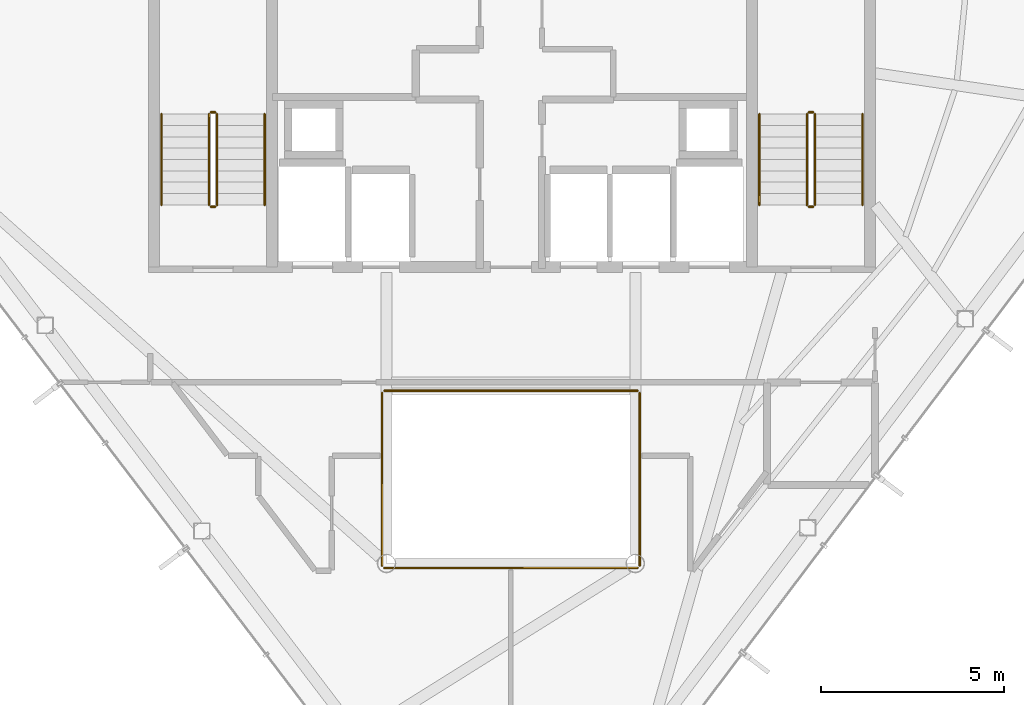
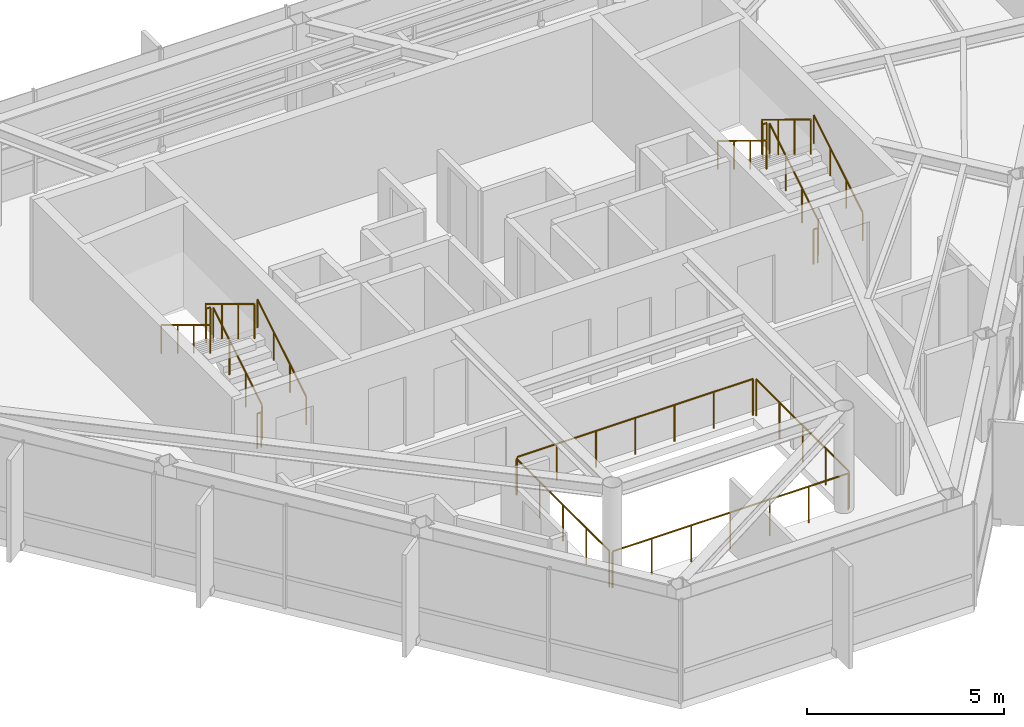
# One storey, part 23 of 23: 16 railings.
"""IFC4 building model written with IfcOpenShell, lengths in metres."""

from ifc_helpers import new_model, si_unit, direction, frame, origin, origin_2d, place, context, subcontext, project, spatial, circle, extrude, material, type_object, element, save


model = new_model("IFC4")

# Units and contexts
model_context = context("Model", 3, precision=1e-05, world=origin(), true_north=direction((0.0, 1.0)))
body_context = subcontext(model_context, "Body", "Model", "MODEL_VIEW")
ifc_project = project(units=[si_unit("LENGTHUNIT", "METRE"), si_unit("AREAUNIT", "SQUARE_METRE"), si_unit("VOLUMEUNIT", "CUBIC_METRE"), si_unit("PLANEANGLEUNIT", "RADIAN"), si_unit("MASSUNIT", "GRAM", prefix="KILO")], contexts=[model_context])

# Site, building, storey
site_placement = place(None, origin())
site = spatial("IfcSite", under=ifc_project, at=site_placement, CompositionType="ELEMENT")
building_placement = place(site_placement, origin())
building = spatial("IfcBuilding", under=site, at=building_placement, Name="Zarrinselat Tower", CompositionType="ELEMENT")
storey_placement = place(building_placement, frame((0.0, 0.0, 278.800048828125)))
storey = spatial("IfcBuildingStorey", under=building, at=storey_placement, Name="L71", CompositionType="ELEMENT", Elevation=278.800048828125)

# Railings
ifc_material_1 = material(Name="Double Low-E Laminated Solar Glass", Category="glass")
railing_type_1 = type_object("IfcRailingType", Name="RLG-ATRIUM-BAL", PredefinedType="BALUSTRADE", material=ifc_material_1)
railing_1_placement = place(storey_placement, frame((34.93994140625, 25.080078125, 0.0)))
element("IfcRailing", 1, at=railing_1_placement, inside=storey, type_object=railing_type_1, Name="L71 Atrium Void Glass Balustrade S", PredefinedType="BALUSTRADE", context=body_context, shape_type="SweptSolid", body=[
    extrude(circle(Radius=0.02392578125, at=origin_2d()), frame((0.0, 0.0, 1.1259765625), z_axis=(1.0, 0.0, 0.0), x_axis=(0.0, 1.0, 0.0)), (0.0, 0.0, 1.0), 6.920166015625),
    extrude(circle(Radius=0.02099609375, at=origin_2d()), origin(), (0.0, 0.0, 1.0), 1.099853515625),
    extrude(circle(Radius=0.02099609375, at=origin_2d()), frame((1.1533203125, 0.0, 0.0)), (0.0, 0.0, 1.0), 1.099853515625),
    extrude(circle(Radius=0.02099609375, at=origin_2d()), frame((2.306640625, 0.0, 0.0)), (0.0, 0.0, 1.0), 1.099853515625),
    extrude(circle(Radius=0.02099609375, at=origin_2d()), frame((3.4599609375, 0.0, 0.0)), (0.0, 0.0, 1.0), 1.099853515625),
    extrude(circle(Radius=0.02099609375, at=origin_2d()), frame((4.613525390625, 0.0, 0.0)), (0.0, 0.0, 1.0), 1.099853515625),
    extrude(circle(Radius=0.02099609375, at=origin_2d()), frame((5.766845703125, 0.0, 0.0)), (0.0, 0.0, 1.0), 1.099853515625),
    extrude(circle(Radius=0.02099609375, at=origin_2d()), frame((6.920166015625, 0.0, 0.0)), (0.0, 0.0, 1.0), 1.099853515625),
])
railing_2_placement = place(storey_placement, frame((41.919921875, 25.139892578125, 0.0)))
element("IfcRailing", 2, at=railing_2_placement, inside=storey, type_object=railing_type_1, Name="L71 Atrium Void Glass Balustrade E", PredefinedType="BALUSTRADE", context=body_context, shape_type="SweptSolid", body=[
    extrude(circle(Radius=0.02392578125, at=origin_2d()), frame((0.0, 0.0, 1.1259765625), z_axis=(0.0, 1.0, 0.0), x_axis=(-1.0, 0.0, 0.0)), (0.0, 0.0, 1.0), 4.72021484375),
    extrude(circle(Radius=0.02099609375, at=origin_2d()), origin(), (0.0, 0.0, 1.0), 1.099853515625),
    extrude(circle(Radius=0.02099609375, at=origin_2d()), frame((0.0, 1.18017578125, 0.0)), (0.0, 0.0, 1.0), 1.099853515625),
    extrude(circle(Radius=0.02099609375, at=origin_2d()), frame((0.0, 2.360107421875, 0.0)), (0.0, 0.0, 1.0), 1.099853515625),
    extrude(circle(Radius=0.02099609375, at=origin_2d()), frame((0.0, 3.5400390625, 0.0)), (0.0, 0.0, 1.0), 1.099853515625),
    extrude(circle(Radius=0.02099609375, at=origin_2d()), frame((0.0, 4.72021484375, 0.0)), (0.0, 0.0, 1.0), 1.099853515625),
])
railing_3_placement = place(storey_placement, frame((41.860107421875, 29.919921875, 0.0)))
element("IfcRailing", 3, at=railing_3_placement, inside=storey, type_object=railing_type_1, Name="L71 Atrium Void Glass Balustrade N", PredefinedType="BALUSTRADE", context=body_context, shape_type="SweptSolid", body=[
    extrude(circle(Radius=0.02392578125, at=origin_2d()), frame((0.0, 0.0, 1.1259765625), z_axis=(-1.0, 0.0, 0.0), x_axis=(0.0, -1.0, 0.0)), (0.0, 0.0, 1.0), 6.920166015625),
    extrude(circle(Radius=0.02099609375, at=origin_2d()), origin(), (0.0, 0.0, 1.0), 1.099853515625),
    extrude(circle(Radius=0.02099609375, at=origin_2d()), frame((-1.1533203125, 0.0, 0.0)), (0.0, 0.0, 1.0), 1.099853515625),
    extrude(circle(Radius=0.02099609375, at=origin_2d()), frame((-2.306640625, 0.0, 0.0)), (0.0, 0.0, 1.0), 1.099853515625),
    extrude(circle(Radius=0.02099609375, at=origin_2d()), frame((-3.4599609375, 0.0, 0.0)), (0.0, 0.0, 1.0), 1.099853515625),
    extrude(circle(Radius=0.02099609375, at=origin_2d()), frame((-4.613525390625, 0.0, 0.0)), (0.0, 0.0, 1.0), 1.099853515625),
    extrude(circle(Radius=0.02099609375, at=origin_2d()), frame((-5.766845703125, 0.0, 0.0)), (0.0, 0.0, 1.0), 1.099853515625),
    extrude(circle(Radius=0.02099609375, at=origin_2d()), frame((-6.920166015625, 0.0, 0.0)), (0.0, 0.0, 1.0), 1.099853515625),
])
railing_4_placement = place(storey_placement, frame((34.8798828125, 29.860107421875, 0.0)))
element("IfcRailing", 4, at=railing_4_placement, inside=storey, type_object=railing_type_1, Name="L71 Atrium Void Glass Balustrade W", PredefinedType="BALUSTRADE", context=body_context, shape_type="SweptSolid", body=[
    extrude(circle(Radius=0.02392578125, at=origin_2d()), frame((0.0, 0.0, 1.1259765625), z_axis=(0.0, -1.0, 0.0), x_axis=(1.0, 0.0, 0.0)), (0.0, 0.0, 1.0), 4.72021484375),
    extrude(circle(Radius=0.02099609375, at=origin_2d()), origin(), (0.0, 0.0, 1.0), 1.099853515625),
    extrude(circle(Radius=0.02099609375, at=origin_2d()), frame((0.0, -1.18017578125, 0.0)), (0.0, 0.0, 1.0), 1.099853515625),
    extrude(circle(Radius=0.02099609375, at=origin_2d()), frame((0.0, -2.360107421875, 0.0)), (0.0, 0.0, 1.0), 1.099853515625),
    extrude(circle(Radius=0.02099609375, at=origin_2d()), frame((0.0, -3.5400390625, 0.0)), (0.0, 0.0, 1.0), 1.099853515625),
    extrude(circle(Radius=0.02099609375, at=origin_2d()), frame((0.0, -4.72021484375, 0.0)), (0.0, 0.0, 1.0), 1.099853515625),
])
ifc_material_2 = material(Name="Steel S355J2", Category="steel")
railing_type_2 = type_object("IfcRailingType", Name="RLG-STAIR-GUARD", PredefinedType="GUARDRAIL", material=ifc_material_2)
railing_5_placement = place(storey_placement, frame((30.3701171875, 35.0, 0.188720703125)))
element("IfcRailing", 5, at=railing_5_placement, inside=storey, type_object=railing_type_2, Name="L71 ST-1 stair guard 1", PredefinedType="GUARDRAIL", context=body_context, shape_type="SweptSolid", body=[
    extrude(circle(Radius=0.02392578125, at=origin_2d()), frame((0.0, 0.0, 1.076171875), z_axis=(0.0, 0.853941963558, 0.520368256982), x_axis=(-1.0, 0.0, 0.0)), (0.0, 0.0, 1.0), 2.904052734375),
    extrude(circle(Radius=0.02099609375, at=origin_2d()), origin(), (0.0, 0.0, 1.0), 1.050048828125),
    extrude(circle(Radius=0.02099609375, at=origin_2d()), frame((0.0, 0.82666015625, 0.503662109375)), (0.0, 0.0, 1.0), 1.050048828125),
    extrude(circle(Radius=0.02099609375, at=origin_2d()), frame((0.0, 1.6533203125, 1.007568359375)), (0.0, 0.0, 1.0), 1.050048828125),
    extrude(circle(Radius=0.02099609375, at=origin_2d()), frame((0.0, 2.47998046875, 1.51123046875)), (0.0, 0.0, 1.0), 1.050048828125),
])
railing_6_placement = place(storey_placement, frame((30.320068359375, 37.530029296875, 1.699951171875)))
element("IfcRailing", 6, at=railing_6_placement, inside=storey, type_object=railing_type_2, Name="L71 ST-1 stair guard 2", PredefinedType="GUARDRAIL", context=body_context, shape_type="SweptSolid", body=[
    extrude(circle(Radius=0.02392578125, at=origin_2d()), frame((0.0, 0.0, 1.076171875), z_axis=(-1.0, 0.0, 0.0), x_axis=(0.0, -1.0, 0.0)), (0.0, 0.0, 1.0), 0.1201171875),
    extrude(circle(Radius=0.02099609375, at=origin_2d()), origin(), (0.0, 0.0, 1.0), 1.050048828125),
    extrude(circle(Radius=0.02099609375, at=origin_2d()), frame((-0.1201171875, 0.0, 0.0)), (0.0, 0.0, 1.0), 1.050048828125),
])
railing_7_placement = place(storey_placement, frame((30.14990234375, 37.47998046875, 1.888916015625)))
element("IfcRailing", 7, at=railing_7_placement, inside=storey, type_object=railing_type_2, Name="L71 ST-1 stair guard 3", PredefinedType="GUARDRAIL", context=body_context, shape_type="SweptSolid", body=[
    extrude(circle(Radius=0.02392578125, at=origin_2d()), frame((0.0, 0.0, 1.076171875), z_axis=(0.0, -0.8539793189, 0.520306950647), x_axis=(1.0, 0.0, 0.0)), (0.0, 0.0, 1.0), 2.904052734375),
    extrude(circle(Radius=0.02099609375, at=origin_2d()), origin(), (0.0, 0.0, 1.0), 1.050048828125),
    extrude(circle(Radius=0.02099609375, at=origin_2d()), frame((0.0, -0.82666015625, 0.503662109375)), (0.0, 0.0, 1.0), 1.050048828125),
    extrude(circle(Radius=0.02099609375, at=origin_2d()), frame((0.0, -1.6533203125, 1.00732421875)), (0.0, 0.0, 1.0), 1.050048828125),
    extrude(circle(Radius=0.02099609375, at=origin_2d()), frame((0.0, -2.47998046875, 1.510986328125)), (0.0, 0.0, 1.0), 1.050048828125),
])
railing_8_placement = place(storey_placement, frame((30.320068359375, 34.949951171875, 0.0)))
element("IfcRailing", 8, at=railing_8_placement, inside=storey, type_object=railing_type_2, Name="L71 ST-1 stair guard 4", PredefinedType="GUARDRAIL", context=body_context, shape_type="SweptSolid", body=[
    extrude(circle(Radius=0.02392578125, at=origin_2d()), frame((0.0, 0.0, 1.076171875), z_axis=(-1.0, 0.0, 0.0), x_axis=(0.0, -1.0, 0.0)), (0.0, 0.0, 1.0), 0.1201171875),
    extrude(circle(Radius=0.02099609375, at=origin_2d()), origin(), (0.0, 0.0, 1.0), 1.050048828125),
    extrude(circle(Radius=0.02099609375, at=origin_2d()), frame((-0.1201171875, 0.0, 0.0)), (0.0, 0.0, 1.0), 1.050048828125),
])
railing_9_placement = place(storey_placement, frame((46.7099609375, 35.0, 0.188720703125)))
element("IfcRailing", 9, at=railing_9_placement, inside=storey, type_object=railing_type_2, Name="L71 ST-2 stair guard 1", PredefinedType="GUARDRAIL", context=body_context, shape_type="SweptSolid", body=[
    extrude(circle(Radius=0.02392578125, at=origin_2d()), frame((0.0, 0.0, 1.076171875), z_axis=(0.0, 0.853941963558, 0.520368256982), x_axis=(-1.0, 0.0, 0.0)), (0.0, 0.0, 1.0), 2.904052734375),
    extrude(circle(Radius=0.02099609375, at=origin_2d()), origin(), (0.0, 0.0, 1.0), 1.050048828125),
    extrude(circle(Radius=0.02099609375, at=origin_2d()), frame((0.0, 0.82666015625, 0.503662109375)), (0.0, 0.0, 1.0), 1.050048828125),
    extrude(circle(Radius=0.02099609375, at=origin_2d()), frame((0.0, 1.6533203125, 1.007568359375)), (0.0, 0.0, 1.0), 1.050048828125),
    extrude(circle(Radius=0.02099609375, at=origin_2d()), frame((0.0, 2.47998046875, 1.51123046875)), (0.0, 0.0, 1.0), 1.050048828125),
])
railing_10_placement = place(storey_placement, frame((46.659912109375, 37.530029296875, 1.699951171875)))
element("IfcRailing", 10, at=railing_10_placement, inside=storey, type_object=railing_type_2, Name="L71 ST-2 stair guard 2", PredefinedType="GUARDRAIL", context=body_context, shape_type="SweptSolid", body=[
    extrude(circle(Radius=0.02392578125, at=origin_2d()), frame((0.0, 0.0, 1.076171875), z_axis=(-1.0, 0.0, 0.0), x_axis=(0.0, -1.0, 0.0)), (0.0, 0.0, 1.0), 0.119873046875),
    extrude(circle(Radius=0.02099609375, at=origin_2d()), origin(), (0.0, 0.0, 1.0), 1.050048828125),
    extrude(circle(Radius=0.02099609375, at=origin_2d()), frame((-0.119873046875, 0.0, 0.0)), (0.0, 0.0, 1.0), 1.050048828125),
])
railing_11_placement = place(storey_placement, frame((46.489990234375, 37.47998046875, 1.888916015625)))
element("IfcRailing", 11, at=railing_11_placement, inside=storey, type_object=railing_type_2, Name="L71 ST-2 stair guard 3", PredefinedType="GUARDRAIL", context=body_context, shape_type="SweptSolid", body=[
    extrude(circle(Radius=0.02392578125, at=origin_2d()), frame((0.0, 0.0, 1.076171875), z_axis=(0.0, -0.8539793189, 0.520306950647), x_axis=(1.0, 0.0, 0.0)), (0.0, 0.0, 1.0), 2.904052734375),
    extrude(circle(Radius=0.02099609375, at=origin_2d()), origin(), (0.0, 0.0, 1.0), 1.050048828125),
    extrude(circle(Radius=0.02099609375, at=origin_2d()), frame((0.0, -0.82666015625, 0.503662109375)), (0.0, 0.0, 1.0), 1.050048828125),
    extrude(circle(Radius=0.02099609375, at=origin_2d()), frame((0.0, -1.6533203125, 1.00732421875)), (0.0, 0.0, 1.0), 1.050048828125),
    extrude(circle(Radius=0.02099609375, at=origin_2d()), frame((0.0, -2.47998046875, 1.510986328125)), (0.0, 0.0, 1.0), 1.050048828125),
])
railing_12_placement = place(storey_placement, frame((46.659912109375, 34.949951171875, 0.0)))
element("IfcRailing", 12, at=railing_12_placement, inside=storey, type_object=railing_type_2, Name="L71 ST-2 stair guard 4", PredefinedType="GUARDRAIL", context=body_context, shape_type="SweptSolid", body=[
    extrude(circle(Radius=0.02392578125, at=origin_2d()), frame((0.0, 0.0, 1.076171875), z_axis=(-1.0, 0.0, 0.0), x_axis=(0.0, -1.0, 0.0)), (0.0, 0.0, 1.0), 0.119873046875),
    extrude(circle(Radius=0.02099609375, at=origin_2d()), origin(), (0.0, 0.0, 1.0), 1.050048828125),
    extrude(circle(Radius=0.02099609375, at=origin_2d()), frame((-0.119873046875, 0.0, 0.0)), (0.0, 0.0, 1.0), 1.050048828125),
])
ifc_material_3 = material(Name="Steel S355J2", Category="steel")
railing_type_3 = type_object("IfcRailingType", Name="RLG-STAIR-HAND", PredefinedType="HANDRAIL", material=ifc_material_3)
railing_13_placement = place(storey_placement, frame((31.669921875, 35.0, 0.188720703125)))
element("IfcRailing", 13, at=railing_13_placement, inside=storey, type_object=railing_type_3, Name="L71 ST-1 stair handrail 1", PredefinedType="HANDRAIL", context=body_context, shape_type="SweptSolid", body=[
    extrude(circle(Radius=0.02392578125, at=origin_2d()), frame((0.0, 0.0, 0.8759765625), z_axis=(0.0, 0.853941963558, 0.520368256982), x_axis=(-1.0, 0.0, 0.0)), (0.0, 0.0, 1.0), 2.904052734375),
    extrude(circle(Radius=0.02099609375, at=origin_2d()), origin(), (0.0, 0.0, 1.0), 0.849853515625),
    extrude(circle(Radius=0.02099609375, at=origin_2d()), frame((0.0, 0.82666015625, 0.503662109375)), (0.0, 0.0, 1.0), 0.849853515625),
    extrude(circle(Radius=0.02099609375, at=origin_2d()), frame((0.0, 1.6533203125, 1.007568359375)), (0.0, 0.0, 1.0), 0.849853515625),
    extrude(circle(Radius=0.02099609375, at=origin_2d()), frame((0.0, 2.47998046875, 1.51123046875)), (0.0, 0.0, 1.0), 0.849853515625),
])
railing_14_placement = place(storey_placement, frame((28.85009765625, 37.47998046875, 1.888916015625)))
element("IfcRailing", 14, at=railing_14_placement, inside=storey, type_object=railing_type_3, Name="L71 ST-1 stair handrail 2", PredefinedType="HANDRAIL", context=body_context, shape_type="SweptSolid", body=[
    extrude(circle(Radius=0.02392578125, at=origin_2d()), frame((0.0, 0.0, 0.8759765625), z_axis=(0.0, -0.8539793189, 0.520306950647), x_axis=(1.0, 0.0, 0.0)), (0.0, 0.0, 1.0), 2.904052734375),
    extrude(circle(Radius=0.02099609375, at=origin_2d()), origin(), (0.0, 0.0, 1.0), 0.849853515625),
    extrude(circle(Radius=0.02099609375, at=origin_2d()), frame((0.0, -0.82666015625, 0.503662109375)), (0.0, 0.0, 1.0), 0.849853515625),
    extrude(circle(Radius=0.02099609375, at=origin_2d()), frame((0.0, -1.6533203125, 1.00732421875)), (0.0, 0.0, 1.0), 0.849853515625),
    extrude(circle(Radius=0.02099609375, at=origin_2d()), frame((0.0, -2.47998046875, 1.510986328125)), (0.0, 0.0, 1.0), 0.849853515625),
])
railing_15_placement = place(storey_placement, frame((48.010009765625, 35.0, 0.188720703125)))
element("IfcRailing", 15, at=railing_15_placement, inside=storey, type_object=railing_type_3, Name="L71 ST-2 stair handrail 1", PredefinedType="HANDRAIL", context=body_context, shape_type="SweptSolid", body=[
    extrude(circle(Radius=0.02392578125, at=origin_2d()), frame((0.0, 0.0, 0.8759765625), z_axis=(0.0, 0.853941963558, 0.520368256982), x_axis=(-1.0, 0.0, 0.0)), (0.0, 0.0, 1.0), 2.904052734375),
    extrude(circle(Radius=0.02099609375, at=origin_2d()), origin(), (0.0, 0.0, 1.0), 0.849853515625),
    extrude(circle(Radius=0.02099609375, at=origin_2d()), frame((0.0, 0.82666015625, 0.503662109375)), (0.0, 0.0, 1.0), 0.849853515625),
    extrude(circle(Radius=0.02099609375, at=origin_2d()), frame((0.0, 1.6533203125, 1.007568359375)), (0.0, 0.0, 1.0), 0.849853515625),
    extrude(circle(Radius=0.02099609375, at=origin_2d()), frame((0.0, 2.47998046875, 1.51123046875)), (0.0, 0.0, 1.0), 0.849853515625),
])
railing_16_placement = place(storey_placement, frame((45.18994140625, 37.47998046875, 1.888916015625)))
element("IfcRailing", 16, at=railing_16_placement, inside=storey, type_object=railing_type_3, Name="L71 ST-2 stair handrail 2", PredefinedType="HANDRAIL", context=body_context, shape_type="SweptSolid", body=[
    extrude(circle(Radius=0.02392578125, at=origin_2d()), frame((0.0, 0.0, 0.8759765625), z_axis=(0.0, -0.8539793189, 0.520306950647), x_axis=(1.0, 0.0, 0.0)), (0.0, 0.0, 1.0), 2.904052734375),
    extrude(circle(Radius=0.02099609375, at=origin_2d()), origin(), (0.0, 0.0, 1.0), 0.849853515625),
    extrude(circle(Radius=0.02099609375, at=origin_2d()), frame((0.0, -0.82666015625, 0.503662109375)), (0.0, 0.0, 1.0), 0.849853515625),
    extrude(circle(Radius=0.02099609375, at=origin_2d()), frame((0.0, -1.6533203125, 1.00732421875)), (0.0, 0.0, 1.0), 0.849853515625),
    extrude(circle(Radius=0.02099609375, at=origin_2d()), frame((0.0, -2.47998046875, 1.510986328125)), (0.0, 0.0, 1.0), 0.849853515625),
])

save(model, "model.ifc")
